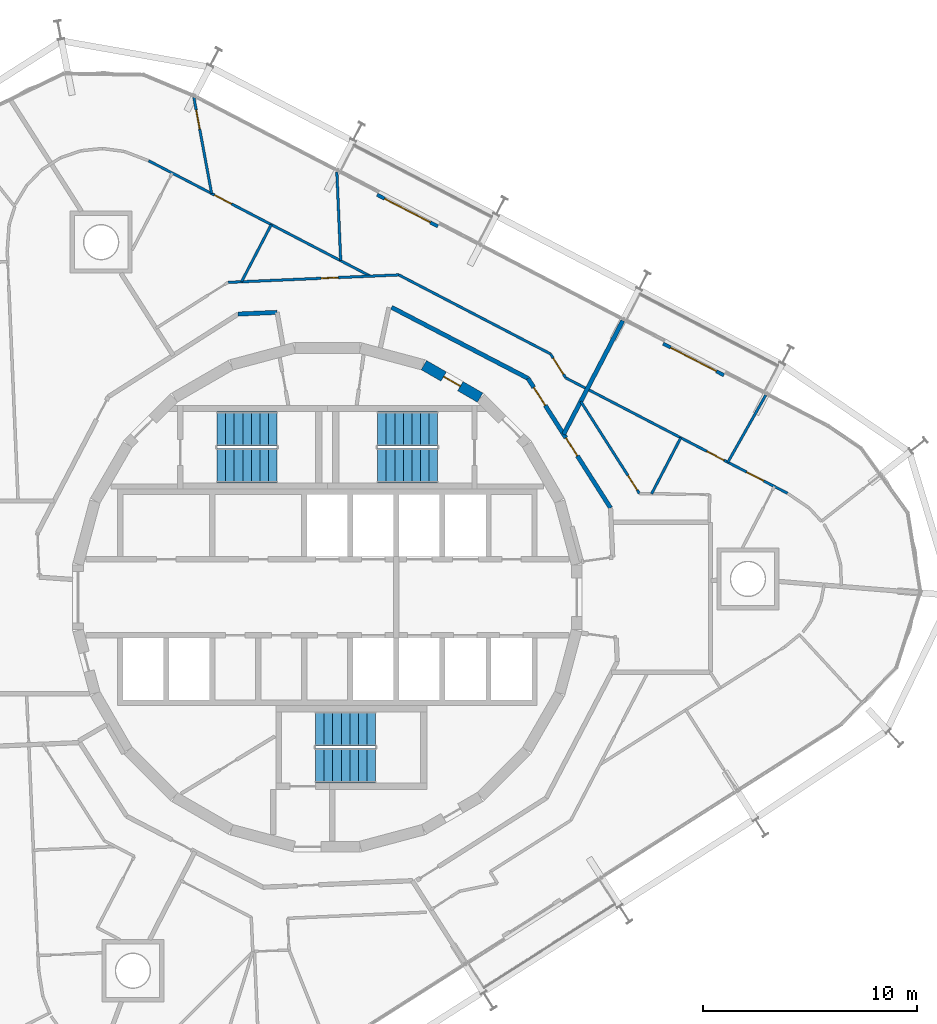
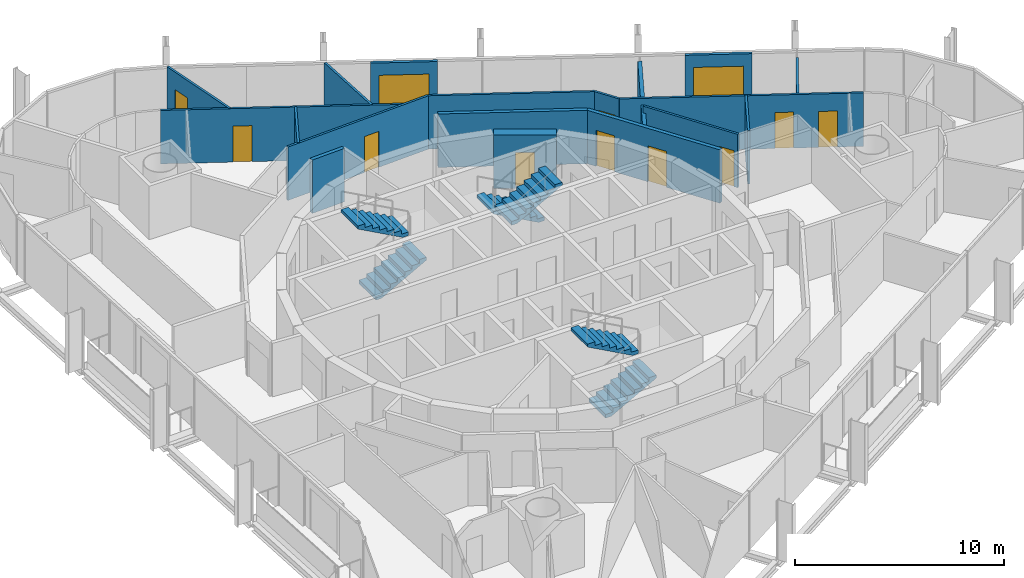
# One storey, part 16 of 17: 18 walls, 12 doors, 6 stair flights, 12 openings, 3 elements without a shape of their own.
"""IFC4 building model written with IfcOpenShell, lengths in metres."""

from ifc_helpers import new_model, si_unit, direction, frame, frame_2d, origin, place, context, subcontext, project, spatial, polyline, rectangle, outline, extrude, material, layer, layer_set, type_object, element, fill, aggregate, save


model = new_model("IFC4")

# Units and contexts
model_context = context("Model", 3, precision=1e-05, world=origin(), true_north=direction((0.0, 1.0)))
body_context = subcontext(model_context, "Body", "Model", "MODEL_VIEW")
ifc_project = project(units=[si_unit("LENGTHUNIT", "METRE"), si_unit("AREAUNIT", "SQUARE_METRE"), si_unit("VOLUMEUNIT", "CUBIC_METRE"), si_unit("PLANEANGLEUNIT", "RADIAN"), si_unit("MASSUNIT", "GRAM", prefix="KILO")], contexts=[model_context])

# Site, building, storey
site_placement = place(None, origin())
site = spatial("IfcSite", under=ifc_project, at=site_placement, CompositionType="ELEMENT")
building_placement = place(site_placement, origin())
building = spatial("IfcBuilding", under=site, at=building_placement, Name="Spindle Arch Residences", CompositionType="ELEMENT")
storey_placement = place(building_placement, frame((0.0, 0.0, 244.199951171875)))
storey = spatial("IfcBuildingStorey", under=building, at=storey_placement, Name="L62", CompositionType="ELEMENT", Elevation=244.199951171875)

# Wall, opening, door
ifc_material_1 = material(Name="Concrete C50/60", Category="concrete")
ifc_layer_1 = layer(ifc_material_1, 0.5)
ifc_layer_set_1 = layer_set([ifc_layer_1], Name="Core outline wall 500")
wall_type_1 = type_object("IfcWallType", Name="Core outline wall 500", PredefinedType="SHEAR", material=ifc_layer_set_1)
wall_1_placement = place(storey_placement, frame((7.13671875, 9.32861328125, 0.0), z_axis=(0.0, 0.0, 1.0), x_axis=(-0.865975092491, 0.500087131594, 0.0)))
wall_1 = element("IfcWall", 1, at=wall_1_placement, inside=storey, type_object=wall_type_1, Name="Core outline wall 10", PredefinedType="SHEAR", context=body_context, shape_type="SweptSolid", body=[
    extrude(rectangle(XDim=3.03271484375, YDim=0.5, at=frame_2d((1.516357421875, 0.0))), origin(), (0.0, 0.0, 1.0), 3.1201171875),
])
opening_1_placement = place(wall_1_placement, frame((1.06640625, 0.0, 0.0)))
opening_1 = element("IfcOpeningElement", 2, at=opening_1_placement, cuts=wall_1, Name="Opening R6B1-WD12", PredefinedType="OPENING", context=body_context, shape_type="SweptSolid", body=[
    extrude(rectangle(XDim=0.89990234375, YDim=2.10009765625, at=frame_2d((0.449951171875, 1.050048828125))), frame((0.0, 0.260009765625, 0.0), z_axis=(0.0, -1.0, 0.0), x_axis=(1.0, 0.0, 0.0)), (0.0, 0.0, 1.0), 0.52001953125),
])
ifc_material_2 = material(Name="Steel, fire-resisting door", Category="steel")
door_type_1 = type_object("IfcDoorType", Name="Service room door 900x2100", OperationType="SINGLE_SWING_LEFT", PredefinedType="DOOR", material=ifc_material_2)
door_1_placement = place(opening_1_placement, origin())
door_1 = element("IfcDoor", 3, at=door_1_placement, inside=storey, type_object=door_type_1, Name="Service room door R6B1-WD12", OperationType="SINGLE_SWING_RIGHT", OverallHeight=2.10009765625, OverallWidth=0.89990234375, PredefinedType="DOOR", context=body_context, shape_type="SweptSolid", body=[
    extrude(rectangle(XDim=0.89990234375, YDim=2.10009765625, at=frame_2d((0.449951171875, 1.050048828125))), frame((0.0, 0.02490234375, 0.0), z_axis=(0.0, -1.0, 0.0), x_axis=(1.0, 0.0, 0.0)), (0.0, 0.0, 1.0), 0.050048828125),
])
fill(opening_1, door_1)

# Wall, openings, doors
ifc_material_3 = material(Name="Calcium silicate block, plastered")
ifc_layer_2 = layer(ifc_material_3, 0.199951171875)
ifc_layer_set_2 = layer_set([ifc_layer_2], Name="Corridor wall 200")
wall_type_2 = type_object("IfcWallType", Name="Corridor wall 200", PredefinedType="STANDARD", material=ifc_layer_set_2)
wall_2_placement = place(storey_placement, frame((13.230712890625, 4.171630859375, 0.0), z_axis=(0.0, 0.0, 1.0), x_axis=(-0.537304397561, 0.843388394728, 0.0)))
wall_2 = element("IfcWall", 4, at=wall_2_placement, inside=storey, type_object=wall_type_2, Name="Corridor wall R6B1-W004", PredefinedType="STANDARD", context=body_context, shape_type="SweptSolid", body=[
    extrude(rectangle(XDim=7.180908203125, YDim=0.199951171875, at=frame_2d((3.59033203125, 0.0))), origin(), (0.0, 0.0, 1.0), 3.1201171875),
])
opening_2_placement = place(wall_2_placement, frame((2.881103515625, 0.0, 0.0)))
opening_2 = element("IfcOpeningElement", 5, at=opening_2_placement, cuts=wall_2, Name="Opening R6B1-FD01", PredefinedType="OPENING", context=body_context, shape_type="SweptSolid", body=[
    extrude(rectangle(XDim=1.0, YDim=2.10009765625, at=frame_2d((0.5, 1.050048828125))), frame((0.0, 0.10986328125, 0.0), z_axis=(0.0, -1.0, 0.0), x_axis=(1.0, 0.0, 0.0)), (0.0, 0.0, 1.0), 0.219970703125),
])
opening_3_placement = place(wall_2_placement, frame((5.68115234375, 0.0, 0.0)))
opening_3 = element("IfcOpeningElement", 6, at=opening_3_placement, cuts=wall_2, Name="Opening R6B1-FD02", PredefinedType="OPENING", context=body_context, shape_type="SweptSolid", body=[
    extrude(rectangle(XDim=1.0, YDim=2.10009765625, at=frame_2d((0.5, 1.050048828125))), frame((0.0, 0.10986328125, 0.0), z_axis=(0.0, -1.0, 0.0), x_axis=(1.0, 0.0, 0.0)), (0.0, 0.0, 1.0), 0.219970703125),
])
ifc_material_4 = material(Name="Timber, fire-resisting door set", Category="wood")
door_type_2 = type_object("IfcDoorType", Name="Flat entrance door 1000x2100", OperationType="NOTDEFINED", PredefinedType="DOOR", material=ifc_material_4)
door_2_placement = place(opening_2_placement, origin())
door_2 = element("IfcDoor", 7, at=door_2_placement, inside=storey, type_object=door_type_2, Name="Flat entrance door R6B1-FD01", OperationType="SINGLE_SWING_LEFT", OverallHeight=2.10009765625, OverallWidth=1.0, PredefinedType="DOOR", context=body_context, shape_type="SweptSolid", body=[
    extrude(rectangle(XDim=1.0, YDim=2.10009765625, at=frame_2d((0.5, 1.050048828125))), frame((0.0, 0.02490234375, 0.0), z_axis=(0.0, -1.0, 0.0), x_axis=(1.0, 0.0, 0.0)), (0.0, 0.0, 1.0), 0.050048828125),
])
fill(opening_2, door_2)
door_3_placement = place(opening_3_placement, origin())
door_3 = element("IfcDoor", 8, at=door_3_placement, inside=storey, type_object=door_type_2, Name="Flat entrance door R6B1-FD02", OperationType="SINGLE_SWING_LEFT", OverallHeight=2.10009765625, OverallWidth=1.0, PredefinedType="DOOR", context=body_context, shape_type="SweptSolid", body=[
    extrude(rectangle(XDim=1.0, YDim=2.10009765625, at=frame_2d((0.5, 1.050048828125))), frame((0.0, 0.02490234375, 0.0), z_axis=(0.0, -1.0, 0.0), x_axis=(1.0, 0.0, 0.0)), (0.0, 0.0, 1.0), 0.050048828125),
])
fill(opening_3, door_3)

# Walls
wall_3_placement = place(storey_placement, frame((9.372314453125, 10.22802734375, 0.0), z_axis=(0.0, 0.0, 1.0), x_axis=(-0.887005184532, 0.461759464021, 0.0)))
element("IfcWall", 9, at=wall_3_placement, inside=storey, type_object=wall_type_2, Name="Corridor wall R6B1-W005", PredefinedType="STANDARD", context=body_context, shape_type="SweptSolid", body=[
    extrude(rectangle(XDim=7.18115234375, YDim=0.199951171875, at=frame_2d((3.590576171875, 0.0))), origin(), (0.0, 0.0, 1.0), 3.1201171875),
])
wall_4_placement = place(storey_placement, frame((-2.346923828125, 13.310302734375, 0.0), z_axis=(0.0, 0.0, 1.0), x_axis=(-0.999050095671, -0.043576442492, 0.0)))
element("IfcWall", 10, at=wall_4_placement, inside=storey, type_object=wall_type_2, Name="Corridor wall R6B1-W011", PredefinedType="STANDARD", context=body_context, shape_type="SweptSolid", body=[
    extrude(rectangle(XDim=1.826416015625, YDim=0.199951171875, at=frame_2d((0.9130859375, 0.0))), origin(), (0.0, 0.0, 1.0), 3.1201171875),
])

# Wall, opening, door
ifc_material_5 = material(Name="Plasterboard on steel studs", Category="steel")
ifc_layer_3 = layer(ifc_material_5, 0.1201171875)
ifc_layer_set_3 = layer_set([ifc_layer_3], Name="Flat partition 120")
wall_type_3 = type_object("IfcWallType", Name="Flat partition 120", PredefinedType="PARTITIONING", material=ifc_layer_set_3)
wall_5_placement = place(storey_placement, frame((14.580078125, 4.844970703125, 0.0), z_axis=(0.0, 0.0, 1.0), x_axis=(-0.537283960997, 0.84340141407, 0.0)))
wall_5 = element("IfcWall", 11, at=wall_5_placement, inside=storey, type_object=wall_type_3, Name="Flat partition R6B1-W039", PredefinedType="PARTITIONING", context=body_context, shape_type="SweptSolid", body=[
    extrude(rectangle(XDim=5.104248046875, YDim=0.1201171875, at=frame_2d((2.55224609375, 0.0))), origin(), (0.0, 0.0, 1.0), 3.1201171875),
])
opening_4_placement = place(wall_5_placement, frame((0.199951171875, 0.0, 0.0)))
opening_4 = element("IfcOpeningElement", 12, at=opening_4_placement, cuts=wall_5, Name="Opening R6B1-BD01", PredefinedType="OPENING", context=body_context, shape_type="SweptSolid", body=[
    extrude(rectangle(XDim=0.800048828125, YDim=2.10009765625, at=frame_2d((0.39990234375, 1.050048828125))), frame((0.0, 0.070068359375, 0.0), z_axis=(0.0, -1.0, 0.0), x_axis=(1.0, 0.0, 0.0)), (0.0, 0.0, 1.0), 0.14013671875),
])
ifc_material_6 = material(Name="Timber door set", Category="wood")
door_type_3 = type_object("IfcDoorType", Name="Bathroom door 800x2100", OperationType="NOTDEFINED", PredefinedType="DOOR", material=ifc_material_6)
door_4_placement = place(opening_4_placement, origin())
door_4 = element("IfcDoor", 13, at=door_4_placement, inside=storey, type_object=door_type_3, Name="Bathroom door R6B1-BD01", OperationType="SINGLE_SWING_LEFT", OverallHeight=2.10009765625, OverallWidth=0.800048828125, PredefinedType="DOOR", context=body_context, shape_type="SweptSolid", body=[
    extrude(rectangle(XDim=0.800048828125, YDim=2.10009765625, at=frame_2d((0.39990234375, 1.050048828125))), frame((0.0, 0.02490234375, 0.0), z_axis=(0.0, -1.0, 0.0), x_axis=(1.0, 0.0, 0.0)), (0.0, 0.0, 1.0), 0.050048828125),
])
fill(opening_4, door_4)

# Wall, openings, doors
wall_6_placement = place(storey_placement, frame((21.495849609375, 4.857666015625, 0.0), z_axis=(0.0, 0.0, 1.0), x_axis=(-0.887020940825, 0.461729196107, 0.0)))
wall_6 = element("IfcWall", 14, at=wall_6_placement, inside=storey, type_object=wall_type_3, Name="Flat partition R6B1-W047", PredefinedType="PARTITIONING", context=body_context, shape_type="SweptSolid", body=[
    extrude(rectangle(XDim=11.678466796875, YDim=0.1201171875, at=frame_2d((5.83935546875, 0.0))), origin(), (0.0, 0.0, 1.0), 3.1201171875),
])
opening_5_placement = place(wall_6_placement, frame((1.25146484375, 0.0, 0.0)))
opening_5 = element("IfcOpeningElement", 15, at=opening_5_placement, cuts=wall_6, Name="Opening R6B1-ID03", PredefinedType="OPENING", context=body_context, shape_type="SweptSolid", body=[
    extrude(rectangle(XDim=0.89990234375, YDim=2.10009765625, at=frame_2d((0.449951171875, 1.050048828125))), frame((0.0, 0.070068359375, 0.0), z_axis=(0.0, -1.0, 0.0), x_axis=(1.0, 0.0, 0.0)), (0.0, 0.0, 1.0), 0.14013671875),
])
opening_6_placement = place(wall_6_placement, frame((3.341064453125, 0.0, 0.0)))
opening_6 = element("IfcOpeningElement", 16, at=opening_6_placement, cuts=wall_6, Name="Opening R6B1-ID04", PredefinedType="OPENING", context=body_context, shape_type="SweptSolid", body=[
    extrude(rectangle(XDim=0.89990234375, YDim=2.10009765625, at=frame_2d((0.449951171875, 1.050048828125))), frame((0.0, 0.070068359375, 0.0), z_axis=(0.0, -1.0, 0.0), x_axis=(1.0, 0.0, 0.0)), (0.0, 0.0, 1.0), 0.14013671875),
])
ifc_material_7 = material(Name="Timber door set", Category="wood")
door_type_4 = type_object("IfcDoorType", Name="Room door 900x2100", OperationType="NOTDEFINED", PredefinedType="DOOR", material=ifc_material_7)
door_5_placement = place(opening_5_placement, origin())
door_5 = element("IfcDoor", 17, at=door_5_placement, inside=storey, type_object=door_type_4, Name="Room door R6B1-ID03", OperationType="SINGLE_SWING_LEFT", OverallHeight=2.10009765625, OverallWidth=0.89990234375, PredefinedType="DOOR", context=body_context, shape_type="SweptSolid", body=[
    extrude(rectangle(XDim=0.89990234375, YDim=2.10009765625, at=frame_2d((0.449951171875, 1.050048828125))), frame((0.0, 0.02490234375, 0.0), z_axis=(0.0, -1.0, 0.0), x_axis=(1.0, 0.0, 0.0)), (0.0, 0.0, 1.0), 0.050048828125),
])
fill(opening_5, door_5)
door_6_placement = place(opening_6_placement, origin())
door_6 = element("IfcDoor", 18, at=door_6_placement, inside=storey, type_object=door_type_4, Name="Room door R6B1-ID04", OperationType="SINGLE_SWING_LEFT", OverallHeight=2.10009765625, OverallWidth=0.89990234375, PredefinedType="DOOR", context=body_context, shape_type="SweptSolid", body=[
    extrude(rectangle(XDim=0.89990234375, YDim=2.10009765625, at=frame_2d((0.449951171875, 1.050048828125))), frame((0.0, 0.02490234375, 0.0), z_axis=(0.0, -1.0, 0.0), x_axis=(1.0, 0.0, 0.0)), (0.0, 0.0, 1.0), 0.050048828125),
])
fill(opening_6, door_6)

# Wall
wall_7_placement = place(storey_placement, frame((16.510498046875, 7.45263671875, 0.0), z_axis=(0.0, 0.0, 1.0), x_axis=(-0.461756693023, -0.88700662706, 0.0)))
element("IfcWall", 19, at=wall_7_placement, inside=storey, type_object=wall_type_3, Name="Flat partition R6B1-W048", PredefinedType="PARTITIONING", context=body_context, shape_type="SweptSolid", body=[
    extrude(rectangle(XDim=2.94921875, YDim=0.1201171875, at=frame_2d((1.474609375, 0.0))), origin(), (0.0, 0.0, 1.0), 3.1201171875),
])

# Wall, opening, door
wall_8_placement = place(storey_placement, frame((11.13671875, 10.25, 0.0), z_axis=(0.0, 0.0, 1.0), x_axis=(-0.537231369635, 0.843434914786, 0.0)))
wall_8 = element("IfcWall", 20, at=wall_8_placement, inside=storey, type_object=wall_type_3, Name="Flat partition R6B1-W050", PredefinedType="PARTITIONING", context=body_context, shape_type="SweptSolid", body=[
    extrude(rectangle(XDim=1.33154296875, YDim=0.1201171875, at=frame_2d((0.665771484375, 0.0))), origin(), (0.0, 0.0, 1.0), 3.1201171875),
])
opening_7_placement = place(wall_8_placement, frame((0.199951171875, 0.0, 0.0)))
opening_7 = element("IfcOpeningElement", 21, at=opening_7_placement, cuts=wall_8, Name="Opening R6B1-ID06", PredefinedType="OPENING", context=body_context, shape_type="SweptSolid", body=[
    extrude(rectangle(XDim=0.89990234375, YDim=2.10009765625, at=frame_2d((0.449951171875, 1.050048828125))), frame((0.0, 0.070068359375, 0.0), z_axis=(0.0, -1.0, 0.0), x_axis=(1.0, 0.0, 0.0)), (0.0, 0.0, 1.0), 0.14013671875),
])
door_7_placement = place(opening_7_placement, origin())
door_7 = element("IfcDoor", 22, at=door_7_placement, inside=storey, type_object=door_type_4, Name="Room door R6B1-ID06", OperationType="SINGLE_SWING_LEFT", OverallHeight=2.10009765625, OverallWidth=0.89990234375, PredefinedType="DOOR", context=body_context, shape_type="SweptSolid", body=[
    extrude(rectangle(XDim=0.89990234375, YDim=2.10009765625, at=frame_2d((0.449951171875, 1.050048828125))), frame((0.0, 0.02490234375, 0.0), z_axis=(0.0, -1.0, 0.0), x_axis=(1.0, 0.0, 0.0)), (0.0, 0.0, 1.0), 0.050048828125),
])
fill(opening_7, door_7)

# Wall
wall_9_placement = place(storey_placement, frame((10.42138671875, 11.373046875, 0.0), z_axis=(0.0, 0.0, 1.0), x_axis=(-0.887012970857, 0.461744506769, 0.0)))
element("IfcWall", 23, at=wall_9_placement, inside=storey, type_object=wall_type_3, Name="Flat partition R6B1-W051", PredefinedType="PARTITIONING", context=body_context, shape_type="SweptSolid", body=[
    extrude(rectangle(XDim=7.98486328125, YDim=0.1201171875, at=frame_2d((3.992431640625, 0.0))), origin(), (0.0, 0.0, 1.0), 3.1201171875),
])

# Wall, opening, door
wall_10_placement = place(storey_placement, frame((3.338623046875, 15.06005859375, 0.0), z_axis=(0.0, 0.0, 1.0), x_axis=(-0.999047716945, -0.043630943905, 0.0)))
wall_10 = element("IfcWall", 24, at=wall_10_placement, inside=storey, type_object=wall_type_3, Name="Flat partition R6B1-W052", PredefinedType="PARTITIONING", context=body_context, shape_type="SweptSolid", body=[
    extrude(rectangle(XDim=7.98486328125, YDim=0.1201171875, at=frame_2d((3.992431640625, 0.0))), origin(), (0.0, 0.0, 1.0), 3.1201171875),
])
opening_8_placement = place(wall_10_placement, frame((2.831298828125, 0.0, 0.0)))
opening_8 = element("IfcOpeningElement", 25, at=opening_8_placement, cuts=wall_10, Name="Opening R6B1-BD02", PredefinedType="OPENING", context=body_context, shape_type="SweptSolid", body=[
    extrude(rectangle(XDim=0.800048828125, YDim=2.10009765625, at=frame_2d((0.39990234375, 1.050048828125))), frame((0.0, 0.070068359375, 0.0), z_axis=(0.0, -1.0, 0.0), x_axis=(1.0, 0.0, 0.0)), (0.0, 0.0, 1.0), 0.14013671875),
])
door_8_placement = place(opening_8_placement, origin())
door_8 = element("IfcDoor", 26, at=door_8_placement, inside=storey, type_object=door_type_3, Name="Bathroom door R6B1-BD02", OperationType="SINGLE_SWING_RIGHT", OverallHeight=2.10009765625, OverallWidth=0.800048828125, PredefinedType="DOOR", context=body_context, shape_type="SweptSolid", body=[
    extrude(rectangle(XDim=0.800048828125, YDim=2.10009765625, at=frame_2d((0.39990234375, 1.050048828125))), frame((0.0, 0.02490234375, 0.0), z_axis=(0.0, -1.0, 0.0), x_axis=(1.0, 0.0, 0.0)), (0.0, 0.0, 1.0), 0.050048828125),
])
fill(opening_8, door_8)

wall_11_placement = place(storey_placement, frame((-8.350341796875, 20.394287109375, 0.0), z_axis=(0.0, 0.0, 1.0), x_axis=(0.887020940825, -0.461729196107, 0.0)))
wall_11 = element("IfcWall", 27, at=wall_11_placement, inside=storey, type_object=wall_type_3, Name="Flat partition R6B1-W054", PredefinedType="PARTITIONING", context=body_context, shape_type="SweptSolid", body=[
    extrude(rectangle(XDim=11.678466796875, YDim=0.1201171875, at=frame_2d((5.83935546875, 0.0))), origin(), (0.0, 0.0, 1.0), 3.1201171875),
])
opening_9_placement = place(wall_11_placement, frame((3.468505859375, 0.0, 0.0)))
opening_9 = element("IfcOpeningElement", 28, at=opening_9_placement, cuts=wall_11, Name="Opening R6B1-ID08", PredefinedType="OPENING", context=body_context, shape_type="SweptSolid", body=[
    extrude(rectangle(XDim=0.89990234375, YDim=2.10009765625, at=frame_2d((0.449951171875, 1.050048828125))), frame((0.0, 0.070068359375, 0.0), z_axis=(0.0, -1.0, 0.0), x_axis=(1.0, 0.0, 0.0)), (0.0, 0.0, 1.0), 0.14013671875),
])
door_9_placement = place(opening_9_placement, origin())
door_9 = element("IfcDoor", 29, at=door_9_placement, inside=storey, type_object=door_type_4, Name="Room door R6B1-ID08", OperationType="SINGLE_SWING_RIGHT", OverallHeight=2.10009765625, OverallWidth=0.89990234375, PredefinedType="DOOR", context=body_context, shape_type="SweptSolid", body=[
    extrude(rectangle(XDim=0.89990234375, YDim=2.10009765625, at=frame_2d((0.449951171875, 1.050048828125))), frame((0.0, 0.02490234375, 0.0), z_axis=(0.0, -1.0, 0.0), x_axis=(1.0, 0.0, 0.0)), (0.0, 0.0, 1.0), 0.050048828125),
])
fill(opening_9, door_9)

# Walls
wall_12_placement = place(storey_placement, frame((0.4423828125, 19.875732421875, 0.0), z_axis=(0.0, 0.0, 1.0), x_axis=(0.043638577658, -0.999047383531, 0.0)))
element("IfcWall", 30, at=wall_12_placement, inside=storey, type_object=wall_type_3, Name="Flat partition R6B1-W055", PredefinedType="PARTITIONING", context=body_context, shape_type="SweptSolid", body=[
    extrude(rectangle(XDim=4.15673828125, YDim=0.1201171875, at=frame_2d((2.078369140625, 0.0))), origin(), (0.0, 0.0, 1.0), 3.1201171875),
])
wall_13_placement = place(storey_placement, frame((-2.619140625, 17.410888671875, 0.0), z_axis=(0.0, 0.0, 1.0), x_axis=(-0.461743141736, -0.887013681439, 0.0)))
element("IfcWall", 31, at=wall_13_placement, inside=storey, type_object=wall_type_3, Name="Flat partition R6B1-W056", PredefinedType="PARTITIONING", context=body_context, shape_type="SweptSolid", body=[
    extrude(rectangle(XDim=3.01220703125, YDim=0.1201171875, at=frame_2d((1.506103515625, 0.0))), origin(), (0.0, 0.0, 1.0), 3.1201171875),
])

# Wall, opening, door
wall_14_placement = place(storey_placement, frame((-6.23681640625, 23.352783203125, 0.0), z_axis=(0.0, 0.0, 1.0), x_axis=(0.181909323114, -0.983315309636, 0.0)))
wall_14 = element("IfcWall", 32, at=wall_14_placement, inside=storey, type_object=wall_type_3, Name="Flat partition R6B1-W057", PredefinedType="PARTITIONING", context=body_context, shape_type="SweptSolid", body=[
    extrude(rectangle(XDim=4.567138671875, YDim=0.1201171875, at=frame_2d((2.28369140625, 0.0))), origin(), (0.0, 0.0, 1.0), 3.1201171875),
])
opening_10_placement = place(wall_14_placement, frame((0.60009765625, 0.0, 0.0)))
opening_10 = element("IfcOpeningElement", 33, at=opening_10_placement, cuts=wall_14, Name="Opening R6B1-ID10", PredefinedType="OPENING", context=body_context, shape_type="SweptSolid", body=[
    extrude(rectangle(XDim=0.89990234375, YDim=2.10009765625, at=frame_2d((0.449951171875, 1.050048828125))), frame((0.0, 0.070068359375, 0.0), z_axis=(0.0, -1.0, 0.0), x_axis=(1.0, 0.0, 0.0)), (0.0, 0.0, 1.0), 0.14013671875),
])
door_10_placement = place(opening_10_placement, origin())
door_10 = element("IfcDoor", 34, at=door_10_placement, inside=storey, type_object=door_type_4, Name="Room door R6B1-ID10", OperationType="SINGLE_SWING_RIGHT", OverallHeight=2.10009765625, OverallWidth=0.89990234375, PredefinedType="DOOR", context=body_context, shape_type="SweptSolid", body=[
    extrude(rectangle(XDim=0.89990234375, YDim=2.10009765625, at=frame_2d((0.449951171875, 1.050048828125))), frame((0.0, 0.02490234375, 0.0), z_axis=(0.0, -1.0, 0.0), x_axis=(1.0, 0.0, 0.0)), (0.0, 0.0, 1.0), 0.050048828125),
])
fill(opening_10, door_10)

# Walls
ifc_material_8 = material(Name="Plasterboard on steel studs", Category="steel")
ifc_layer_4 = layer(ifc_material_8, 0.1201171875)
ifc_layer_set_4 = layer_set([ifc_layer_4], Name="Flat partition 120 under beam 2730")
wall_type_4 = type_object("IfcWallType", Name="Flat partition 120 under beam 2730", PredefinedType="PARTITIONING", material=ifc_layer_set_4)
wall_15_placement = place(storey_placement, frame((20.480224609375, 9.44482421875, 0.0), z_axis=(0.0, 0.0, 1.0), x_axis=(-0.491518927659, -0.870866892098, 0.0)))
element("IfcWall", 35, at=wall_15_placement, inside=storey, type_object=wall_type_4, Name="Flat partition R6B1-W049", PredefinedType="PARTITIONING", context=body_context, shape_type="SweptSolid", body=[
    extrude(rectangle(XDim=3.60205078125, YDim=0.1201171875, at=frame_2d((1.801025390625, 0.0))), origin(), (0.0, 0.0, 1.0), 2.72998046875),
])
ifc_material_9 = material(Name="Calcium silicate block, plastered")
ifc_layer_5 = layer(ifc_material_9, 0.199951171875)
ifc_layer_set_5 = layer_set([ifc_layer_5], Name="Flat party wall 200 under beam 2730")
wall_type_5 = type_object("IfcWallType", Name="Flat party wall 200 under beam 2730", PredefinedType="STANDARD", material=ifc_layer_set_5)
wall_16_placement = place(storey_placement, frame((13.801025390625, 12.921875, 0.0), z_axis=(0.0, 0.0, 1.0), x_axis=(-0.461726485624, -0.887022351733, 0.0)))
element("IfcWall", 36, at=wall_16_placement, inside=storey, type_object=wall_type_5, Name="Flat party wall R6B1-W027", PredefinedType="STANDARD", context=body_context, shape_type="SweptSolid", body=[
    extrude(rectangle(XDim=5.984375, YDim=0.199951171875, at=frame_2d((2.9921875, 0.0))), origin(), (0.0, 0.0, 1.0), 2.72998046875),
])

# Wall, opening, door
ifc_material_10 = material(Name="Non-combustible mineral wool insulated aluminium faced external wall (K0)", Category="aluminium")
ifc_layer_6 = layer(ifc_material_10, 0.159912109375)
ifc_layer_set_6 = layer_set([ifc_layer_6], Name="Insulated external wall panel 160")
wall_type_6 = type_object("IfcWallType", Name="Insulated external wall panel 160", PredefinedType="STANDARD", material=ifc_layer_set_6)
wall_17_placement = place(storey_placement, frame((18.52294921875, 10.37353515625, 0.0), z_axis=(0.0, 0.0, 1.0), x_axis=(-0.887014349583, 0.461741858221, 0.0)))
wall_17 = element("IfcWall", 37, at=wall_17_placement, inside=storey, type_object=wall_type_6, Name="External wall L62 bay 6", PredefinedType="STANDARD", context=body_context, shape_type="SweptSolid", body=[
    extrude(rectangle(XDim=3.199951171875, YDim=0.159912109375, at=frame_2d((1.60009765625, 0.0))), origin(), (0.0, 0.0, 1.0), 3.1201171875),
])
opening_11_placement = place(wall_17_placement, frame((0.39990234375, 0.0, 0.0)))
opening_11 = element("IfcOpeningElement", 38, at=opening_11_placement, cuts=wall_17, Name="Opening BD06", PredefinedType="OPENING", context=body_context, shape_type="SweptSolid", body=[
    extrude(rectangle(XDim=2.39990234375, YDim=2.39990234375, at=frame_2d((1.199951171875, 1.199951171875))), frame((0.0, 0.08984375, 0.0), z_axis=(0.0, -1.0, 0.0), x_axis=(1.0, 0.0, 0.0)), (0.0, 0.0, 1.0), 0.179931640625),
])
ifc_material_11 = material(Name="Bronze aluminium frame, tinted double glazing", Category="aluminium")
door_type_5 = type_object("IfcDoorType", Name="Sliding glazed balcony door 2400x2400", OperationType="DOUBLE_DOOR_SLIDING", PredefinedType="DOOR", material=ifc_material_11)
door_11_placement = place(opening_11_placement, origin())
door_11 = element("IfcDoor", 39, at=door_11_placement, inside=storey, type_object=door_type_5, Name="Balcony door BD06", OperationType="DOUBLE_DOOR_SLIDING", OverallHeight=2.39990234375, OverallWidth=2.39990234375, PredefinedType="DOOR", context=body_context, shape_type="SweptSolid", body=[
    extrude(rectangle(XDim=2.39990234375, YDim=2.39990234375, at=frame_2d((1.199951171875, 1.199951171875))), frame((0.0, 0.02490234375, 0.0), z_axis=(0.0, -1.0, 0.0), x_axis=(1.0, 0.0, 0.0)), (0.0, 0.0, 1.0), 0.050048828125),
])
fill(opening_11, door_11)

wall_18_placement = place(storey_placement, frame((5.164306640625, 17.327392578125, 0.0), z_axis=(0.0, 0.0, 1.0), x_axis=(-0.886983100078, 0.461801884119, 0.0)))
wall_18 = element("IfcWall", 40, at=wall_18_placement, inside=storey, type_object=wall_type_6, Name="External wall L62 bay 8", PredefinedType="STANDARD", context=body_context, shape_type="SweptSolid", body=[
    extrude(rectangle(XDim=3.199951171875, YDim=0.159912109375, at=frame_2d((1.60009765625, 0.0))), origin(), (0.0, 0.0, 1.0), 3.1201171875),
])
opening_12_placement = place(wall_18_placement, frame((0.39990234375, 0.0, 0.0)))
opening_12 = element("IfcOpeningElement", 41, at=opening_12_placement, cuts=wall_18, Name="Opening BD08", PredefinedType="OPENING", context=body_context, shape_type="SweptSolid", body=[
    extrude(rectangle(XDim=2.39990234375, YDim=2.39990234375, at=frame_2d((1.199951171875, 1.199951171875))), frame((0.0, 0.08984375, 0.0), z_axis=(0.0, -1.0, 0.0), x_axis=(1.0, 0.0, 0.0)), (0.0, 0.0, 1.0), 0.179931640625),
])
door_12_placement = place(opening_12_placement, origin())
door_12 = element("IfcDoor", 42, at=door_12_placement, inside=storey, type_object=door_type_5, Name="Balcony door BD08", OperationType="DOUBLE_DOOR_SLIDING", OverallHeight=2.39990234375, OverallWidth=2.39990234375, PredefinedType="DOOR", context=body_context, shape_type="SweptSolid", body=[
    extrude(rectangle(XDim=2.39990234375, YDim=2.39990234375, at=frame_2d((1.199951171875, 1.199951171875))), frame((0.0, 0.02490234375, 0.0), z_axis=(0.0, -1.0, 0.0), x_axis=(1.0, 0.0, 0.0)), (0.0, 0.0, 1.0), 0.050048828125),
])
fill(opening_12, door_12)

# Stair, stair flights
ifc_material_12 = material(Name="Concrete C50/60", Category="concrete")
stair_type = type_object("IfcStairType", Name="Exit stair 16 risers", PredefinedType="HALF_TURN_STAIR", material=ifc_material_12)
stair_1_placement = place(storey_placement, origin())
stair_1 = element("IfcStair", 43, at=stair_1_placement, inside=storey, type_object=stair_type, Name="L62 Exit stair ST1", PredefinedType="HALF_TURN_STAIR")
ifc_material_13 = material(Name="Concrete C50/60", Category="concrete")
stair_flight_type = type_object("IfcStairFlightType", Name="Exit stair flight", PredefinedType="STRAIGHT", material=ifc_material_13)
stair_flight_1_placement = place(storey_placement, frame((5.14990234375, 7.8701171875, 0.0), z_axis=(0.0, 0.0, 1.0), x_axis=(-1.0, 0.0, 0.0)))
stair_flight_1 = element("IfcStairFlight", 44, at=stair_flight_1_placement, type_object=stair_flight_type, Name="ST1 flight 1", NumberOfRisers=8, NumberOfTreads=7, PredefinedType="STRAIGHT", RiserHeight=0.21875, TreadLength=0.4, context=body_context, shape_type="SweptSolid", body=[
    extrude(outline(polyline([(0.0, 0.0), (0.0, 0.21875), (0.39990234375, 0.21875), (0.39990234375, 0.4375), (0.800048828125, 0.4375), (0.800048828125, 0.65625), (1.199951171875, 0.65625), (1.199951171875, 0.875), (1.60009765625, 0.875), (1.60009765625, 1.09375), (2.0, 1.09375), (2.0, 1.3125), (2.39990234375, 1.3125), (2.39990234375, 1.53125), (2.800048828125, 1.53125), (2.800048828125, 1.75), (2.800048828125, 1.3603515625), (0.3125, 0.0), (0.0, 0.0)])), frame((0.0, 0.800048828125, 0.0), z_axis=(0.0, -1.0, 0.0), x_axis=(1.0, 0.0, 0.0)), (0.0, 0.0, 1.0), 1.60009765625),
])
stair_flight_2_placement = place(storey_placement, frame((2.35009765625, 6.14990234375, 1.75), z_axis=(0.0, 0.0, 1.0), x_axis=(1.0, 0.0, 0.0)))
stair_flight_2 = element("IfcStairFlight", 45, at=stair_flight_2_placement, type_object=stair_flight_type, Name="ST1 flight 2", NumberOfRisers=8, NumberOfTreads=7, PredefinedType="STRAIGHT", RiserHeight=0.21875, TreadLength=0.4, context=body_context, shape_type="SweptSolid", body=[
    extrude(outline(polyline([(0.0, 0.0), (0.0, 0.21875), (0.39990234375, 0.21875), (0.39990234375, 0.4375), (0.800048828125, 0.4375), (0.800048828125, 0.65625), (1.199951171875, 0.65625), (1.199951171875, 0.875), (1.60009765625, 0.875), (1.60009765625, 1.09375), (2.0, 1.09375), (2.0, 1.3125), (2.39990234375, 1.3125), (2.39990234375, 1.53125), (2.800048828125, 1.53125), (2.800048828125, 1.75), (2.800048828125, 1.3603515625), (0.3125, 0.0), (0.0, 0.0)])), frame((0.0, 0.800048828125, 0.0), z_axis=(0.0, -1.0, 0.0), x_axis=(1.0, 0.0, 0.0)), (0.0, 0.0, 1.0), 1.60009765625),
])
aggregate(stair_1, [stair_flight_1, stair_flight_2])

stair_2_placement = place(storey_placement, origin())
stair_2 = element("IfcStair", 46, at=stair_2_placement, inside=storey, type_object=stair_type, Name="L62 Exit stair ST2", PredefinedType="HALF_TURN_STAIR")
stair_flight_3_placement = place(storey_placement, frame((-5.14990234375, 6.14990234375, 0.0), z_axis=(0.0, 0.0, 1.0), x_axis=(1.0, 0.0, 0.0)))
stair_flight_3 = element("IfcStairFlight", 47, at=stair_flight_3_placement, type_object=stair_flight_type, Name="ST2 flight 1", NumberOfRisers=8, NumberOfTreads=7, PredefinedType="STRAIGHT", RiserHeight=0.21875, TreadLength=0.4, context=body_context, shape_type="SweptSolid", body=[
    extrude(outline(polyline([(0.0, 0.0), (0.0, 0.21875), (0.39990234375, 0.21875), (0.39990234375, 0.4375), (0.800048828125, 0.4375), (0.800048828125, 0.65625), (1.199951171875, 0.65625), (1.199951171875, 0.875), (1.60009765625, 0.875), (1.60009765625, 1.09375), (2.0, 1.09375), (2.0, 1.3125), (2.39990234375, 1.3125), (2.39990234375, 1.53125), (2.800048828125, 1.53125), (2.800048828125, 1.75), (2.800048828125, 1.3603515625), (0.3125, 0.0), (0.0, 0.0)])), frame((0.0, 0.800048828125, 0.0), z_axis=(0.0, -1.0, 0.0), x_axis=(1.0, 0.0, 0.0)), (0.0, 0.0, 1.0), 1.60009765625),
])
stair_flight_4_placement = place(storey_placement, frame((-2.35009765625, 7.8701171875, 1.75), z_axis=(0.0, 0.0, 1.0), x_axis=(-1.0, 0.0, 0.0)))
stair_flight_4 = element("IfcStairFlight", 48, at=stair_flight_4_placement, type_object=stair_flight_type, Name="ST2 flight 2", NumberOfRisers=8, NumberOfTreads=7, PredefinedType="STRAIGHT", RiserHeight=0.21875, TreadLength=0.4, context=body_context, shape_type="SweptSolid", body=[
    extrude(outline(polyline([(0.0, 0.0), (0.0, 0.21875), (0.39990234375, 0.21875), (0.39990234375, 0.4375), (0.800048828125, 0.4375), (0.800048828125, 0.65625), (1.199951171875, 0.65625), (1.199951171875, 0.875), (1.60009765625, 0.875), (1.60009765625, 1.09375), (2.0, 1.09375), (2.0, 1.3125), (2.39990234375, 1.3125), (2.39990234375, 1.53125), (2.800048828125, 1.53125), (2.800048828125, 1.75), (2.800048828125, 1.3603515625), (0.3125, 0.0), (0.0, 0.0)])), frame((0.0, 0.800048828125, 0.0), z_axis=(0.0, -1.0, 0.0), x_axis=(1.0, 0.0, 0.0)), (0.0, 0.0, 1.0), 1.60009765625),
])
aggregate(stair_2, [stair_flight_3, stair_flight_4])

stair_3_placement = place(storey_placement, origin())
stair_3 = element("IfcStair", 49, at=stair_3_placement, inside=storey, type_object=stair_type, Name="L62 Exit stair ST3", PredefinedType="HALF_TURN_STAIR")
stair_flight_5_placement = place(storey_placement, frame((-0.550048828125, -7.8701171875, 0.0), z_axis=(0.0, 0.0, 1.0), x_axis=(1.0, 0.0, 0.0)))
stair_flight_5 = element("IfcStairFlight", 50, at=stair_flight_5_placement, type_object=stair_flight_type, Name="ST3 flight 1", NumberOfRisers=8, NumberOfTreads=7, PredefinedType="STRAIGHT", RiserHeight=0.21875, TreadLength=0.4, context=body_context, shape_type="SweptSolid", body=[
    extrude(outline(polyline([(0.0, 0.0), (0.0, 0.21875), (0.39990234375, 0.21875), (0.39990234375, 0.4375), (0.800048828125, 0.4375), (0.800048828125, 0.65625), (1.199951171875, 0.65625), (1.199951171875, 0.875), (1.60009765625, 0.875), (1.60009765625, 1.09375), (2.0, 1.09375), (2.0, 1.3125), (2.39990234375, 1.3125), (2.39990234375, 1.53125), (2.800048828125, 1.53125), (2.800048828125, 1.75), (2.800048828125, 1.3603515625), (0.3125, 0.0), (0.0, 0.0)])), frame((0.0, 0.800048828125, 0.0), z_axis=(0.0, -1.0, 0.0), x_axis=(1.0, 0.0, 0.0)), (0.0, 0.0, 1.0), 1.60009765625),
])
stair_flight_6_placement = place(storey_placement, frame((2.25, -6.14990234375, 1.75), z_axis=(0.0, 0.0, 1.0), x_axis=(-1.0, 0.0, 0.0)))
stair_flight_6 = element("IfcStairFlight", 51, at=stair_flight_6_placement, type_object=stair_flight_type, Name="ST3 flight 2", NumberOfRisers=8, NumberOfTreads=7, PredefinedType="STRAIGHT", RiserHeight=0.21875, TreadLength=0.4, context=body_context, shape_type="SweptSolid", body=[
    extrude(outline(polyline([(0.0, 0.0), (0.0, 0.21875), (0.39990234375, 0.21875), (0.39990234375, 0.4375), (0.800048828125, 0.4375), (0.800048828125, 0.65625), (1.199951171875, 0.65625), (1.199951171875, 0.875), (1.60009765625, 0.875), (1.60009765625, 1.09375), (2.0, 1.09375), (2.0, 1.3125), (2.39990234375, 1.3125), (2.39990234375, 1.53125), (2.800048828125, 1.53125), (2.800048828125, 1.75), (2.800048828125, 1.3603515625), (0.3125, 0.0), (0.0, 0.0)])), frame((0.0, 0.800048828125, 0.0), z_axis=(0.0, -1.0, 0.0), x_axis=(1.0, 0.0, 0.0)), (0.0, 0.0, 1.0), 1.60009765625),
])
aggregate(stair_3, [stair_flight_5, stair_flight_6])

save(model, "model.ifc")
